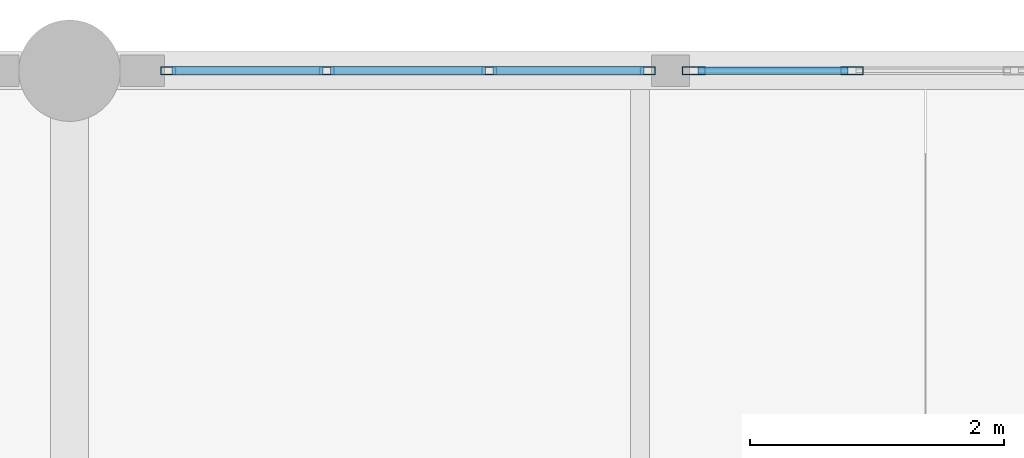
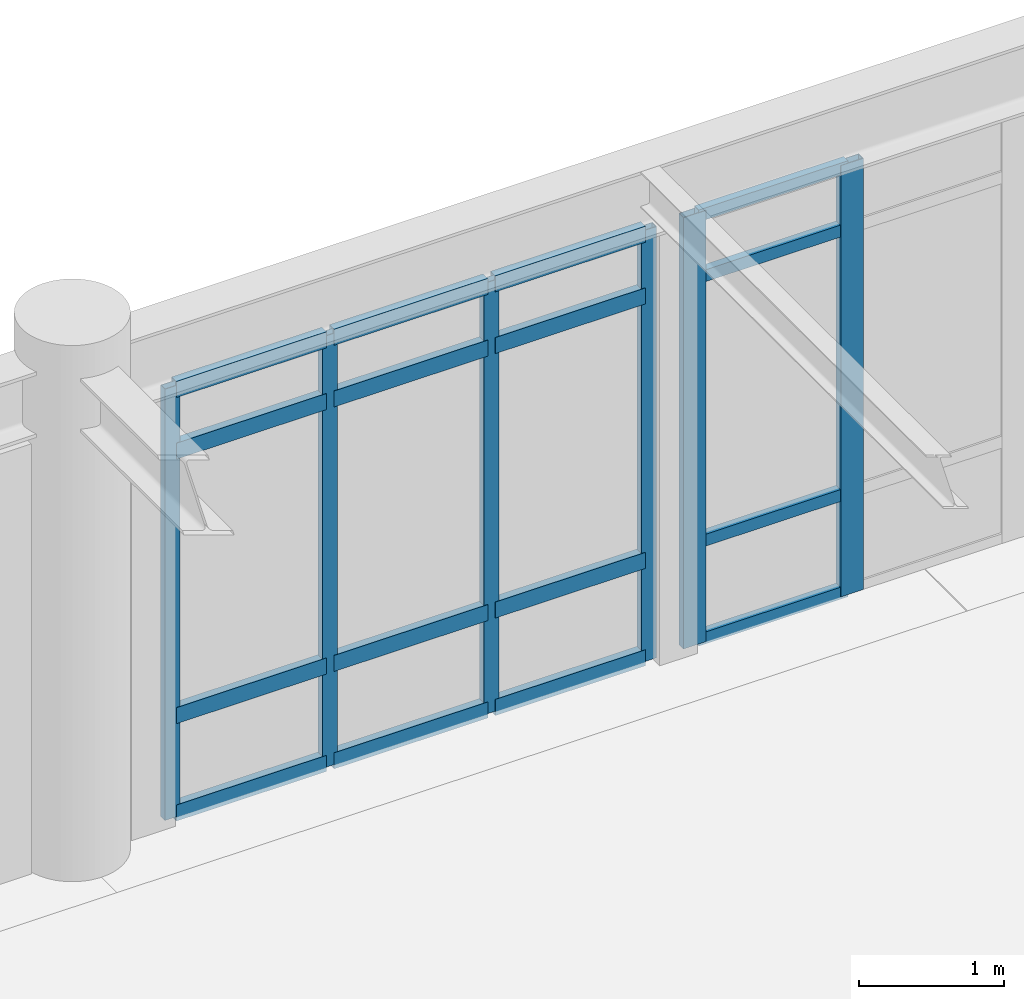
# One storey, part 28 of 61: 22 members, 2 elements without a shape of their own.
"""IFC4 building model written with IfcOpenShell, lengths in metres."""

from ifc_helpers import new_model, si_unit, direction, frame, origin, origin_2d, place, context, subcontext, project, spatial, hollow_rectangle, extrude, material, layer, layer_set, material_profile, profile_set, type_object, element, aggregate, save


model = new_model("IFC4")

# Units and contexts
model_context = context("Model", 3, precision=1e-05, world=origin(), true_north=direction((0.0, 1.0)))
body_context = subcontext(model_context, "Body", "Model", "MODEL_VIEW")
ifc_project = project(units=[si_unit("LENGTHUNIT", "METRE"), si_unit("AREAUNIT", "SQUARE_METRE"), si_unit("VOLUMEUNIT", "CUBIC_METRE"), si_unit("PLANEANGLEUNIT", "RADIAN"), si_unit("MASSUNIT", "GRAM", prefix="KILO")], contexts=[model_context])

# Site, building, storey
site_placement = place(None, origin())
site = spatial("IfcSite", under=ifc_project, at=site_placement, CompositionType="ELEMENT")
building_placement = place(site_placement, origin())
building = spatial("IfcBuilding", under=site, at=building_placement, Name="Fikremerkos Civic Library", CompositionType="ELEMENT")
storey_placement = place(building_placement, frame((0.0, 0.0, 14.39990234375)))
storey = spatial("IfcBuildingStorey", under=building, at=storey_placement, Name="L03", CompositionType="ELEMENT", Elevation=14.39990234375)

# Curtain wall, members
ifc_material = material(Name="Anodized aluminium Frame", Category="aluminium")
ifc_layer_1 = layer(ifc_material, 0.159912109375, Name="Anodized aluminium Frame")
ifc_layer_set_1 = layer_set([ifc_layer_1], Name="Anodized aluminium Frame")
curtain_wall_type_1 = type_object("IfcCurtainWallType", Name="Unitised curtain wall CW-05 3800x4100", PredefinedType="USERDEFINED", material=ifc_layer_set_1)
curtain_wall_1_placement = place(storey_placement, origin())
curtain_wall_1 = element("IfcCurtainWall", 1, at=curtain_wall_1_placement, inside=storey, type_object=curtain_wall_type_1, Name="Unitised curtain wall CW-05 L03 #203", ObjectType="UNITISED CURTAIN WALL", PredefinedType="USERDEFINED")
ifc_material_profile_1 = material_profile(ifc_material, hollow_rectangle(XDim=0.06494140625, YDim=0.179931640625, WallThickness=0.00439453125, at=origin_2d()), Name="ALU 180x65x4.5")
ifc_profile_set_1 = profile_set([ifc_material_profile_1], Name="Anodized aluminium Frame")
member_type_1 = type_object("IfcMemberType", Name="Curtain mullion CWM-01 ALU 180x65x4.5", PredefinedType="MULLION", material=ifc_profile_set_1)
member_1_placement = place(storey_placement, frame((91.62353515625, 48.0, 0.0), z_axis=(0.0, 0.0, 1.0), x_axis=(0.0, 1.0, 0.0)))
member_1 = element("IfcMember", 2, at=member_1_placement, type_object=member_type_1, Name="CW-05 mullion 1", PredefinedType="MULLION", context=body_context, shape_type="SweptSolid", body=[
    extrude(hollow_rectangle(XDim=0.06494140625, YDim=0.179931640625, WallThickness=0.00439453125, at=origin_2d()), origin(), (0.0, 0.0, 1.0), 3.6201171875),
])
member_2_placement = place(storey_placement, frame((92.8720703125, 48.0, 0.0), z_axis=(0.0, 0.0, 1.0), x_axis=(0.0, 1.0, 0.0)))
member_2 = element("IfcMember", 3, at=member_2_placement, type_object=member_type_1, Name="CW-05 mullion 2", PredefinedType="MULLION", context=body_context, shape_type="SweptSolid", body=[
    extrude(hollow_rectangle(XDim=0.06494140625, YDim=0.179931640625, WallThickness=0.00439453125, at=origin_2d()), origin(), (0.0, 0.0, 1.0), 3.6201171875),
])

ifc_layer_2 = layer(ifc_material, 0.159912109375, Name="Anodized aluminium Frame")
ifc_layer_set_2 = layer_set([ifc_layer_2], Name="Anodized aluminium Frame")
curtain_wall_type_2 = type_object("IfcCurtainWallType", Name="Unitised curtain wall CW-04 3400x3600", PredefinedType="USERDEFINED", material=ifc_layer_set_2)
curtain_wall_2_placement = place(storey_placement, origin())
curtain_wall_2 = element("IfcCurtainWall", 4, at=curtain_wall_2_placement, inside=storey, type_object=curtain_wall_type_2, Name="Unitised curtain wall CW-04 L03 #202", ObjectType="UNITISED CURTAIN WALL", PredefinedType="USERDEFINED")
ifc_material_profile_2 = material_profile(ifc_material, hollow_rectangle(XDim=0.06005859375, YDim=0.1201171875, WallThickness=0.00390625, at=origin_2d()), Name="ALU 120x60x4")
ifc_profile_set_2 = profile_set([ifc_material_profile_2], Name="Anodized aluminium Frame")
member_type_2 = type_object("IfcMemberType", Name="Curtain mullion CWM-04 ALU 120x60x4", PredefinedType="MULLION", material=ifc_profile_set_2)
member_3_placement = place(storey_placement, frame((87.47802734375, 48.0, 0.0), z_axis=(0.0, 0.0, 1.0), x_axis=(0.0, 1.0, 0.0)))
member_3 = element("IfcMember", 5, at=member_3_placement, type_object=member_type_2, Name="CW-04 mullion 1", PredefinedType="MULLION", context=body_context, shape_type="SweptSolid", body=[
    extrude(hollow_rectangle(XDim=0.06005859375, YDim=0.1201171875, WallThickness=0.00390625, at=origin_2d()), origin(), (0.0, 0.0, 1.0), 3.6201171875),
])
member_4_placement = place(storey_placement, frame((88.72900390625, 48.0, 0.0), z_axis=(0.0, 0.0, 1.0), x_axis=(0.0, 1.0, 0.0)))
member_4 = element("IfcMember", 6, at=member_4_placement, type_object=member_type_2, Name="CW-04 mullion 2", PredefinedType="MULLION", context=body_context, shape_type="SweptSolid", body=[
    extrude(hollow_rectangle(XDim=0.06005859375, YDim=0.1201171875, WallThickness=0.00390625, at=origin_2d()), origin(), (0.0, 0.0, 1.0), 3.6201171875),
])
member_5_placement = place(storey_placement, frame((90.010009765625, 48.0, 0.0), z_axis=(0.0, 0.0, 1.0), x_axis=(0.0, 1.0, 0.0)))
member_5 = element("IfcMember", 7, at=member_5_placement, type_object=member_type_2, Name="CW-04 mullion 3", PredefinedType="MULLION", context=body_context, shape_type="SweptSolid", body=[
    extrude(hollow_rectangle(XDim=0.06005859375, YDim=0.1201171875, WallThickness=0.00390625, at=origin_2d()), origin(), (0.0, 0.0, 1.0), 3.6201171875),
])
member_6_placement = place(storey_placement, frame((91.260986328125, 48.0, 0.0), z_axis=(0.0, 0.0, 1.0), x_axis=(0.0, 1.0, 0.0)))
member_6 = element("IfcMember", 8, at=member_6_placement, type_object=member_type_2, Name="CW-04 mullion 4", PredefinedType="MULLION", context=body_context, shape_type="SweptSolid", body=[
    extrude(hollow_rectangle(XDim=0.06005859375, YDim=0.1201171875, WallThickness=0.00390625, at=origin_2d()), origin(), (0.0, 0.0, 1.0), 3.6201171875),
])
ifc_material_profile_3 = material_profile(ifc_material, hollow_rectangle(XDim=0.06494140625, YDim=0.135009765625, WallThickness=0.00439453125, at=origin_2d()), Name="ALU 135x65x4.5")
ifc_profile_set_3 = profile_set([ifc_material_profile_3], Name="Anodized aluminium Frame")
member_type_3 = type_object("IfcMemberType", Name="Curtain transom CWT-02 ALU 135x65x4.5", PredefinedType="USERDEFINED", material=ifc_profile_set_3)
member_7_placement = place(storey_placement, frame((87.508056640625, 48.0, 0.03271484375), z_axis=(1.0, 0.0, 0.0), x_axis=(0.0, 1.0, 0.0)))
member_7 = element("IfcMember", 9, at=member_7_placement, type_object=member_type_3, Name="CW-04 transom 1.1", ObjectType="TRANSOM", PredefinedType="USERDEFINED", context=body_context, shape_type="SweptSolid", body=[
    extrude(hollow_rectangle(XDim=0.06494140625, YDim=0.135009765625, WallThickness=0.00439453125, at=origin_2d()), origin(), (0.0, 0.0, 1.0), 1.19091796875),
])
member_8_placement = place(storey_placement, frame((87.508056640625, 48.0, 0.85009765625), z_axis=(1.0, 0.0, 0.0), x_axis=(0.0, 1.0, 0.0)))
member_8 = element("IfcMember", 10, at=member_8_placement, type_object=member_type_3, Name="CW-04 transom 1.2", ObjectType="TRANSOM", PredefinedType="USERDEFINED", context=body_context, shape_type="SweptSolid", body=[
    extrude(hollow_rectangle(XDim=0.06494140625, YDim=0.135009765625, WallThickness=0.00439453125, at=origin_2d()), origin(), (0.0, 0.0, 1.0), 1.19091796875),
])
member_9_placement = place(storey_placement, frame((87.508056640625, 48.0, 3.070068359375), z_axis=(1.0, 0.0, 0.0), x_axis=(0.0, 1.0, 0.0)))
member_9 = element("IfcMember", 11, at=member_9_placement, type_object=member_type_3, Name="CW-04 transom 1.3", ObjectType="TRANSOM", PredefinedType="USERDEFINED", context=body_context, shape_type="SweptSolid", body=[
    extrude(hollow_rectangle(XDim=0.06494140625, YDim=0.135009765625, WallThickness=0.00439453125, at=origin_2d()), origin(), (0.0, 0.0, 1.0), 1.19091796875),
])
member_10_placement = place(storey_placement, frame((87.508056640625, 48.0, 3.587646484375), z_axis=(1.0, 0.0, 0.0), x_axis=(0.0, 1.0, 0.0)))
member_10 = element("IfcMember", 12, at=member_10_placement, type_object=member_type_3, Name="CW-04 transom 1.4", ObjectType="TRANSOM", PredefinedType="USERDEFINED", context=body_context, shape_type="SweptSolid", body=[
    extrude(hollow_rectangle(XDim=0.06494140625, YDim=0.135009765625, WallThickness=0.00439453125, at=origin_2d()), origin(), (0.0, 0.0, 1.0), 1.19091796875),
])
member_11_placement = place(storey_placement, frame((88.759033203125, 48.0, 0.03271484375), z_axis=(1.0, 0.0, 0.0), x_axis=(0.0, 1.0, 0.0)))
member_11 = element("IfcMember", 13, at=member_11_placement, type_object=member_type_3, Name="CW-04 transom 2.1", ObjectType="TRANSOM", PredefinedType="USERDEFINED", context=body_context, shape_type="SweptSolid", body=[
    extrude(hollow_rectangle(XDim=0.06494140625, YDim=0.135009765625, WallThickness=0.00439453125, at=origin_2d()), origin(), (0.0, 0.0, 1.0), 1.220947265625),
])
member_12_placement = place(storey_placement, frame((88.759033203125, 48.0, 0.85009765625), z_axis=(1.0, 0.0, 0.0), x_axis=(0.0, 1.0, 0.0)))
member_12 = element("IfcMember", 14, at=member_12_placement, type_object=member_type_3, Name="CW-04 transom 2.2", ObjectType="TRANSOM", PredefinedType="USERDEFINED", context=body_context, shape_type="SweptSolid", body=[
    extrude(hollow_rectangle(XDim=0.06494140625, YDim=0.135009765625, WallThickness=0.00439453125, at=origin_2d()), origin(), (0.0, 0.0, 1.0), 1.220947265625),
])
member_13_placement = place(storey_placement, frame((88.759033203125, 48.0, 3.070068359375), z_axis=(1.0, 0.0, 0.0), x_axis=(0.0, 1.0, 0.0)))
member_13 = element("IfcMember", 15, at=member_13_placement, type_object=member_type_3, Name="CW-04 transom 2.3", ObjectType="TRANSOM", PredefinedType="USERDEFINED", context=body_context, shape_type="SweptSolid", body=[
    extrude(hollow_rectangle(XDim=0.06494140625, YDim=0.135009765625, WallThickness=0.00439453125, at=origin_2d()), origin(), (0.0, 0.0, 1.0), 1.220947265625),
])
member_14_placement = place(storey_placement, frame((88.759033203125, 48.0, 3.587646484375), z_axis=(1.0, 0.0, 0.0), x_axis=(0.0, 1.0, 0.0)))
member_14 = element("IfcMember", 16, at=member_14_placement, type_object=member_type_3, Name="CW-04 transom 2.4", ObjectType="TRANSOM", PredefinedType="USERDEFINED", context=body_context, shape_type="SweptSolid", body=[
    extrude(hollow_rectangle(XDim=0.06494140625, YDim=0.135009765625, WallThickness=0.00439453125, at=origin_2d()), origin(), (0.0, 0.0, 1.0), 1.220947265625),
])
member_15_placement = place(storey_placement, frame((90.0400390625, 48.0, 0.03271484375), z_axis=(1.0, 0.0, 0.0), x_axis=(0.0, 1.0, 0.0)))
member_15 = element("IfcMember", 17, at=member_15_placement, type_object=member_type_3, Name="CW-04 transom 3.1", ObjectType="TRANSOM", PredefinedType="USERDEFINED", context=body_context, shape_type="SweptSolid", body=[
    extrude(hollow_rectangle(XDim=0.06494140625, YDim=0.135009765625, WallThickness=0.00439453125, at=origin_2d()), origin(), (0.0, 0.0, 1.0), 1.19091796875),
])
member_16_placement = place(storey_placement, frame((90.0400390625, 48.0, 0.85009765625), z_axis=(1.0, 0.0, 0.0), x_axis=(0.0, 1.0, 0.0)))
member_16 = element("IfcMember", 18, at=member_16_placement, type_object=member_type_3, Name="CW-04 transom 3.2", ObjectType="TRANSOM", PredefinedType="USERDEFINED", context=body_context, shape_type="SweptSolid", body=[
    extrude(hollow_rectangle(XDim=0.06494140625, YDim=0.135009765625, WallThickness=0.00439453125, at=origin_2d()), origin(), (0.0, 0.0, 1.0), 1.19091796875),
])
member_17_placement = place(storey_placement, frame((90.0400390625, 48.0, 3.070068359375), z_axis=(1.0, 0.0, 0.0), x_axis=(0.0, 1.0, 0.0)))
member_17 = element("IfcMember", 19, at=member_17_placement, type_object=member_type_3, Name="CW-04 transom 3.3", ObjectType="TRANSOM", PredefinedType="USERDEFINED", context=body_context, shape_type="SweptSolid", body=[
    extrude(hollow_rectangle(XDim=0.06494140625, YDim=0.135009765625, WallThickness=0.00439453125, at=origin_2d()), origin(), (0.0, 0.0, 1.0), 1.19091796875),
])
member_18_placement = place(storey_placement, frame((90.0400390625, 48.0, 3.587646484375), z_axis=(1.0, 0.0, 0.0), x_axis=(0.0, 1.0, 0.0)))
member_18 = element("IfcMember", 20, at=member_18_placement, type_object=member_type_3, Name="CW-04 transom 3.4", ObjectType="TRANSOM", PredefinedType="USERDEFINED", context=body_context, shape_type="SweptSolid", body=[
    extrude(hollow_rectangle(XDim=0.06494140625, YDim=0.135009765625, WallThickness=0.00439453125, at=origin_2d()), origin(), (0.0, 0.0, 1.0), 1.19091796875),
])
aggregate(curtain_wall_2, [member_3, member_4, member_5, member_6, member_7, member_8, member_9, member_10, member_11, member_12, member_13, member_14, member_15, member_16, member_17, member_18])

# Member
ifc_material_profile_4 = material_profile(ifc_material, hollow_rectangle(XDim=0.06005859375, YDim=0.10009765625, WallThickness=0.00390625, at=origin_2d()), Name="ALU 100x60x4")
ifc_profile_set_4 = profile_set([ifc_material_profile_4], Name="Anodized aluminium Frame")
member_type_4 = type_object("IfcMemberType", Name="Curtain transom CWT-03 ALU 100x60x4", PredefinedType="USERDEFINED", material=ifc_profile_set_4)
member_19_placement = place(storey_placement, frame((91.656005859375, 48.0, 0.030029296875), z_axis=(1.0, 0.0, 0.0), x_axis=(0.0, 1.0, 0.0)))
member_19 = element("IfcMember", 21, at=member_19_placement, type_object=member_type_4, Name="CW-05 transom 1.1", ObjectType="TRANSOM", PredefinedType="USERDEFINED", context=body_context, shape_type="SweptSolid", body=[
    extrude(hollow_rectangle(XDim=0.06005859375, YDim=0.10009765625, WallThickness=0.00390625, at=origin_2d()), origin(), (0.0, 0.0, 1.0), 1.18359375),
])

member_20_placement = place(storey_placement, frame((91.656005859375, 48.0, 0.85009765625), z_axis=(1.0, 0.0, 0.0), x_axis=(0.0, 1.0, 0.0)))
member_20 = element("IfcMember", 22, at=member_20_placement, type_object=member_type_4, Name="CW-05 transom 1.2", ObjectType="TRANSOM", PredefinedType="USERDEFINED", context=body_context, shape_type="SweptSolid", body=[
    extrude(hollow_rectangle(XDim=0.06005859375, YDim=0.10009765625, WallThickness=0.00390625, at=origin_2d()), origin(), (0.0, 0.0, 1.0), 1.18359375),
])

member_21_placement = place(storey_placement, frame((91.656005859375, 48.0, 3.070068359375), z_axis=(1.0, 0.0, 0.0), x_axis=(0.0, 1.0, 0.0)))
member_21 = element("IfcMember", 23, at=member_21_placement, type_object=member_type_4, Name="CW-05 transom 1.3", ObjectType="TRANSOM", PredefinedType="USERDEFINED", context=body_context, shape_type="SweptSolid", body=[
    extrude(hollow_rectangle(XDim=0.06005859375, YDim=0.10009765625, WallThickness=0.00390625, at=origin_2d()), origin(), (0.0, 0.0, 1.0), 1.18359375),
])

member_22_placement = place(storey_placement, frame((91.656005859375, 48.0, 3.590087890625), z_axis=(1.0, 0.0, 0.0), x_axis=(0.0, 1.0, 0.0)))
member_22 = element("IfcMember", 24, at=member_22_placement, type_object=member_type_4, Name="CW-05 transom 1.4", ObjectType="TRANSOM", PredefinedType="USERDEFINED", context=body_context, shape_type="SweptSolid", body=[
    extrude(hollow_rectangle(XDim=0.06005859375, YDim=0.10009765625, WallThickness=0.00390625, at=origin_2d()), origin(), (0.0, 0.0, 1.0), 1.18359375),
])

aggregate(curtain_wall_1, [member_1, member_2, member_19, member_20, member_21, member_22])

save(model, "model.ifc")
